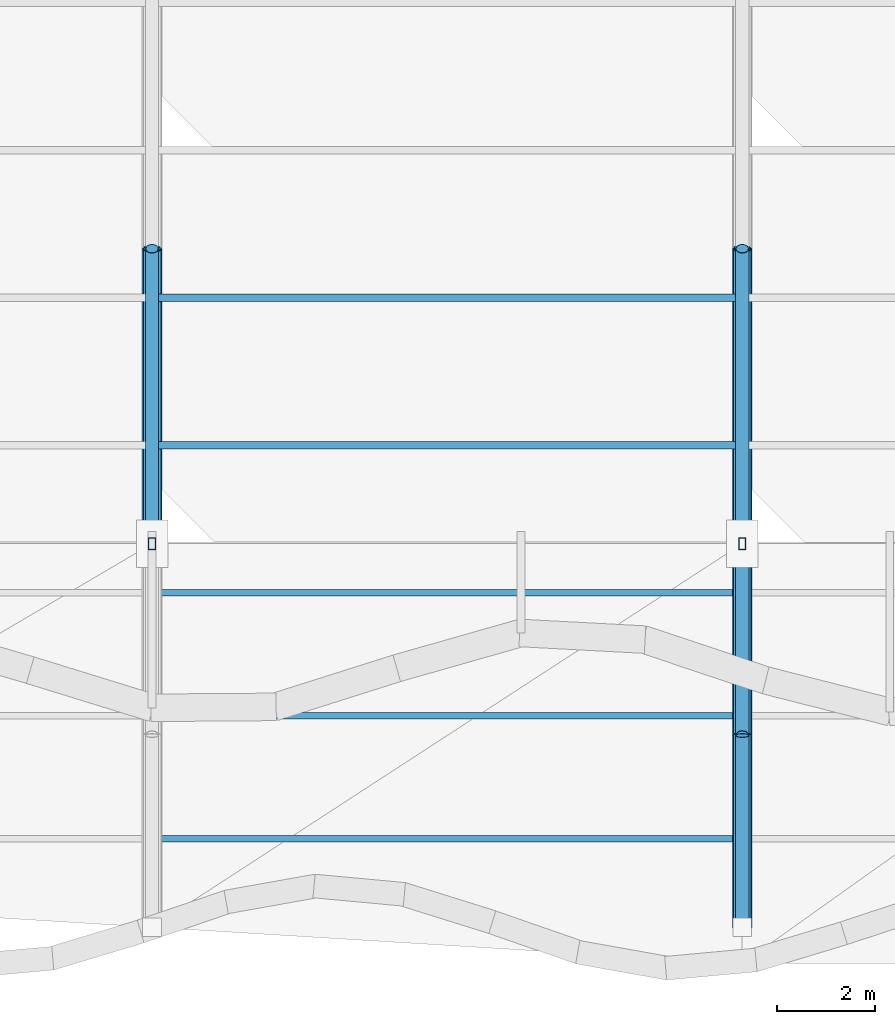
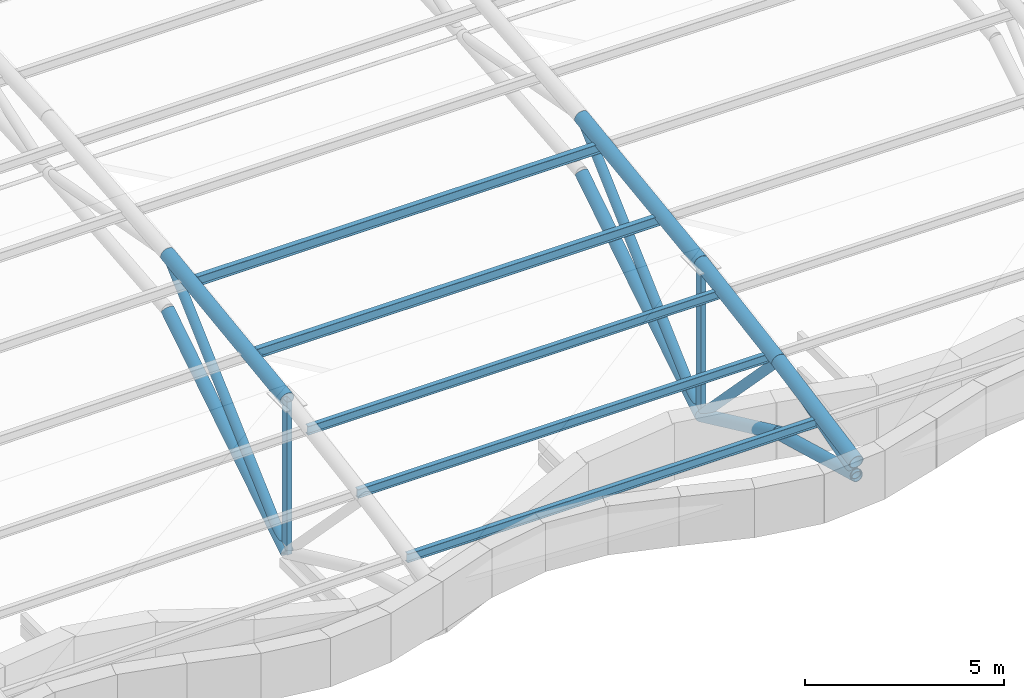
# One storey, part 8 of 29: 19 members.
"""IFC4 building model written with IfcOpenShell, lengths in metres."""

from ifc_helpers import new_model, si_unit, direction, frame, origin, origin_2d, place, context, subcontext, project, spatial, hollow_rectangle, hollow_circle, i_section, extrude, material, material_profile, profile_set, type_object, element, save


model = new_model("IFC4")

# Units and contexts
model_context = context("Model", 3, precision=1e-05, world=origin(), true_north=direction((0.0, 1.0)))
body_context = subcontext(model_context, "Body", "Model", "MODEL_VIEW")
ifc_project = project(units=[si_unit("LENGTHUNIT", "METRE"), si_unit("AREAUNIT", "SQUARE_METRE"), si_unit("VOLUMEUNIT", "CUBIC_METRE"), si_unit("PLANEANGLEUNIT", "RADIAN"), si_unit("MASSUNIT", "GRAM", prefix="KILO")], contexts=[model_context])

# Site, building, storey
site_placement = place(None, origin())
site = spatial("IfcSite", under=ifc_project, at=site_placement, CompositionType="ELEMENT")
building_placement = place(site_placement, origin())
building = spatial("IfcBuilding", under=site, at=building_placement, Name="Keelwater Ferry Terminal", CompositionType="ELEMENT")
storey_placement = place(building_placement, frame((0.0, 0.0, 27.89990234375)))
storey = spatial("IfcBuildingStorey", under=building, at=storey_placement, Name="RF", CompositionType="ELEMENT", Elevation=27.89990234375)

# Members
ifc_material_1 = material(Name="Steel S355", Category="steel")
ifc_material_profile_1 = material_profile(ifc_material_1, hollow_circle(Radius=0.136474609375, WallThickness=0.012451171875, at=origin_2d()), Name="CHS 273x12.5")
ifc_profile_set_1 = profile_set([ifc_material_profile_1], Name="Steel S355")
member_type_1 = type_object("IfcMemberType", Name="BR2 CHS 273x12.5", PredefinedType="BRACE", material=ifc_profile_set_1)
for number, where, z_axis, x_axis, name in (
    (1, (84.0, 42.0, -13.0498046875), (0.0, 0.737527737902, 0.675316841065), (-1.0, 0.0, 0.0), "Structural Member MB-RF-0107"),
    (2, (96.0, 42.0, -13.0498046875), (0.0, 0.737527737902, 0.675316841065), (-1.0, 0.0, 0.0), "Structural Member MB-RF-0139"),
):
    element("IfcMember", number, at=place(storey_placement, frame(where, z_axis=z_axis, x_axis=x_axis)), inside=storey, type_object=member_type_1, Name=name, PredefinedType="BRACE", context=body_context, shape_type="SweptSolid", body=[
        extrude(hollow_circle(Radius=0.136474609375, WallThickness=0.012451171875, at=origin_2d()), origin(), (0.0, 0.0, 1.0), 8.13525390625),
    ])
ifc_material_2 = material(Name="Steel S355", Category="steel")
ifc_material_profile_2 = material_profile(ifc_material_2, hollow_circle(Radius=0.136474609375, WallThickness=0.012451171875, at=origin_2d()), Name="CHS 273x12.5")
ifc_profile_set_2 = profile_set([ifc_material_profile_2], Name="Steel S355")
member_type_2 = type_object("IfcMemberType", Name="BR2E CHS 273x12.5", PredefinedType="BRACE", material=ifc_profile_set_2)
member_1_placement = place(storey_placement, frame((96.0, 34.199951171875, -10.162841796875), z_axis=(0.0, 0.959309065387, 0.282358136178), x_axis=(-1.0, 0.0, 0.0)))
element("IfcMember", 3, at=member_1_placement, inside=storey, type_object=member_type_2, Name="Structural Member MB-RF-0133", PredefinedType="BRACE", context=body_context, shape_type="SweptSolid", body=[
    extrude(hollow_circle(Radius=0.136474609375, WallThickness=0.012451171875, at=origin_2d()), origin(), (0.0, 0.0, 1.0), 4.065673828125),
])
member_2_placement = place(storey_placement, frame((96.0, 38.10009765625, -9.014892578125), z_axis=(0.0, 0.694974865293, -0.719034030218), x_axis=(-1.0, 0.0, 0.0)))
element("IfcMember", 4, at=member_2_placement, inside=storey, type_object=member_type_2, Name="Structural Member MB-RF-0136", PredefinedType="BRACE", context=body_context, shape_type="SweptSolid", body=[
    extrude(hollow_circle(Radius=0.136474609375, WallThickness=0.012451171875, at=origin_2d()), origin(), (0.0, 0.0, 1.0), 5.611572265625),
])
ifc_material_3 = material(Name="Steel S355", Category="steel")
ifc_material_profile_3 = material_profile(ifc_material_3, hollow_rectangle(XDim=0.14990234375, YDim=0.25, WallThickness=0.010009765625, at=origin_2d()), Name="RHS 250x150x10")
ifc_profile_set_3 = profile_set([ifc_material_profile_3], Name="Steel S355")
member_type_3 = type_object("IfcMemberType", Name="BR5 RHS 250x150x10", PredefinedType="BRACE", material=ifc_profile_set_3)
for number, where, z_axis, x_axis, name in (
    (5, (84.0, 42.0, -13.0498046875), (0.0, 0.0, 1.0), (1.0, 0.0, 0.0), "Structural Member MB-RF-0097"),
    (6, (96.0, 42.0, -13.0498046875), (0.0, 0.0, 1.0), (1.0, 0.0, 0.0), "Structural Member MB-RF-0129"),
):
    element("IfcMember", number, at=place(storey_placement, frame(where, z_axis=z_axis, x_axis=x_axis)), inside=storey, type_object=member_type_3, Name=name, PredefinedType="BRACE", context=body_context, shape_type="SweptSolid", body=[
        extrude(hollow_rectangle(XDim=0.14990234375, YDim=0.25, WallThickness=0.010009765625, at=origin_2d()), origin(), (0.0, 0.0, 1.0), 4.684814453125),
    ])
ifc_material_4 = material(Name="Steel S355", Category="steel")
ifc_material_profile_4 = material_profile(ifc_material_4, i_section(OverallWidth=0.14990234375, OverallDepth=0.300048828125, WebThickness=0.007080078125, FlangeThickness=0.0107421875, at=origin_2d()), Name="IPE 300")
ifc_profile_set_4 = profile_set([ifc_material_profile_4], Name="Steel S355")
member_type_4 = type_object("IfcMemberType", Name="PR1 IPE 300", PredefinedType="PURLIN", material=ifc_profile_set_4)
for number, where, z_axis, x_axis, name in (
    (7, (84.0, 44.0, -8.239990234375), (1.0, 0.0, 0.0), (0.0, 1.0, 0.0), "Structural Member MB-RF-0313"),
    (8, (84.0, 47.0, -7.844970703125), (1.0, 0.0, 0.0), (0.0, 1.0, 0.0), "Structural Member MB-RF-0314"),
):
    element("IfcMember", number, at=place(storey_placement, frame(where, z_axis=z_axis, x_axis=x_axis)), inside=storey, type_object=member_type_4, Name=name, PredefinedType="PURLIN", context=body_context, shape_type="SweptSolid", body=[
        extrude(i_section(OverallWidth=0.14990234375, OverallDepth=0.300048828125, WebThickness=0.007080078125, FlangeThickness=0.0107421875, at=origin_2d()), origin(), (0.0, 0.0, 1.0), 12.0),
    ])
ifc_material_5 = material(Name="Steel S355", Category="steel")
ifc_material_profile_5 = material_profile(ifc_material_5, i_section(OverallWidth=0.135009765625, OverallDepth=0.27001953125, WebThickness=0.006591796875, FlangeThickness=0.01025390625, at=origin_2d()), Name="IPE 270")
ifc_profile_set_5 = profile_set([ifc_material_profile_5], Name="Steel S355")
member_type_5 = type_object("IfcMemberType", Name="PR2E IPE 270", PredefinedType="PURLIN", material=ifc_profile_set_5)
for number, where, z_axis, x_axis, name in (
    (9, (84.0, 36.0, -9.575927734375), (1.0, 0.0, 0.0), (0.0, 1.0, 0.0), "Structural Member MB-RF-0310"),
    (10, (84.0, 38.5, -9.114013671875), (1.0, 0.0, 0.0), (0.0, 1.0, 0.0), "Structural Member MB-RF-0311"),
    (11, (84.0, 41.0, -8.69287109375), (1.0, 0.0, 0.0), (0.0, 1.0, 0.0), "Structural Member MB-RF-0312"),
):
    element("IfcMember", number, at=place(storey_placement, frame(where, z_axis=z_axis, x_axis=x_axis)), inside=storey, type_object=member_type_5, Name=name, PredefinedType="PURLIN", context=body_context, shape_type="SweptSolid", body=[
        extrude(i_section(OverallWidth=0.135009765625, OverallDepth=0.27001953125, WebThickness=0.006591796875, FlangeThickness=0.01025390625, at=origin_2d()), origin(), (0.0, 0.0, 1.0), 12.0),
    ])
ifc_material_6 = material(Name="Steel S355", Category="steel")
ifc_material_profile_6 = material_profile(ifc_material_6, hollow_circle(Radius=0.203125, WallThickness=0.01611328125, at=origin_2d()), Name="CHS 406.4x16")
ifc_profile_set_6 = profile_set([ifc_material_profile_6], Name="Steel S355")
member_type_6 = type_object("IfcMemberType", Name="TC1 CHS 406.4x16", PredefinedType="CHORD", material=ifc_profile_set_6)
for number, where, z_axis, x_axis, name in (
    (12, (84.0, 42.0, -8.364990234375), (0.0, 0.991030285938, 0.13363746613), (-1.0, 0.0, 0.0), "Structural Member MB-RF-0105"),
    (13, (96.0, 42.0, -8.364990234375), (0.0, 0.991030285938, 0.13363746613), (-1.0, 0.0, 0.0), "Structural Member MB-RF-0137"),
):
    element("IfcMember", number, at=place(storey_placement, frame(where, z_axis=z_axis, x_axis=x_axis)), inside=storey, type_object=member_type_6, Name=name, PredefinedType="CHORD", context=body_context, shape_type="SweptSolid", body=[
        extrude(hollow_circle(Radius=0.203125, WallThickness=0.01611328125, at=origin_2d()), origin(), (0.0, 0.0, 1.0), 6.05419921875),
    ])
ifc_material_7 = material(Name="Steel S355", Category="steel")
ifc_material_profile_7 = material_profile(ifc_material_7, hollow_circle(Radius=0.203125, WallThickness=0.01611328125, at=origin_2d()), Name="CHS 406.4x16")
ifc_profile_set_7 = profile_set([ifc_material_profile_7], Name="Steel S355")
member_type_7 = type_object("IfcMemberType", Name="TC1E CHS 406.4x16", PredefinedType="CHORD", material=ifc_profile_set_7)
member_3_placement = place(storey_placement, frame((96.0, 34.199951171875, -9.762939453125), z_axis=(0.0, 0.982098851925, 0.188366252413), x_axis=(-1.0, 0.0, 0.0)))
element("IfcMember", 14, at=member_3_placement, inside=storey, type_object=member_type_7, Name="Structural Member MB-RF-0131", PredefinedType="CHORD", context=body_context, shape_type="SweptSolid", body=[
    extrude(hollow_circle(Radius=0.203125, WallThickness=0.01611328125, at=origin_2d()), origin(), (0.0, 0.0, 1.0), 3.97119140625),
])
member_4_placement = place(storey_placement, frame((96.0, 38.10009765625, -9.014892578125), z_axis=(0.0, 0.986397261476, 0.164378960188), x_axis=(-1.0, 0.0, 0.0)))
element("IfcMember", 15, at=member_4_placement, inside=storey, type_object=member_type_7, Name="Structural Member MB-RF-0134", PredefinedType="CHORD", context=body_context, shape_type="SweptSolid", body=[
    extrude(hollow_circle(Radius=0.203125, WallThickness=0.01611328125, at=origin_2d()), origin(), (0.0, 0.0, 1.0), 3.95361328125),
])
ifc_material_8 = material(Name="Steel S355", Category="steel")
ifc_material_profile_8 = material_profile(ifc_material_8, hollow_circle(Radius=0.177734375, WallThickness=0.01611328125, at=origin_2d()), Name="CHS 355.6x16")
ifc_profile_set_8 = profile_set([ifc_material_profile_8], Name="Steel S355")
member_type_8 = type_object("IfcMemberType", Name="TC2 CHS 355.6x16", PredefinedType="CHORD", material=ifc_profile_set_8)
for number, where, z_axis, x_axis, name in (
    (16, (84.0, 42.0, -13.0498046875), (0.0, 0.845204389629, 0.534443205356), (-1.0, 0.0, 0.0), "Structural Member MB-RF-0106"),
    (17, (96.0, 42.0, -13.0498046875), (0.0, 0.845204389629, 0.534443205356), (-1.0, 0.0, 0.0), "Structural Member MB-RF-0138"),
):
    element("IfcMember", number, at=place(storey_placement, frame(where, z_axis=z_axis, x_axis=x_axis)), inside=storey, type_object=member_type_8, Name=name, PredefinedType="CHORD", context=body_context, shape_type="SweptSolid", body=[
        extrude(hollow_circle(Radius=0.177734375, WallThickness=0.01611328125, at=origin_2d()), origin(), (0.0, 0.0, 1.0), 7.098876953125),
    ])
ifc_material_9 = material(Name="Steel S355", Category="steel")
ifc_material_profile_9 = material_profile(ifc_material_9, hollow_circle(Radius=0.177734375, WallThickness=0.01611328125, at=origin_2d()), Name="CHS 355.6x16")
ifc_profile_set_9 = profile_set([ifc_material_profile_9], Name="Steel S355")
member_type_9 = type_object("IfcMemberType", Name="TC2E CHS 355.6x16", PredefinedType="CHORD", material=ifc_profile_set_9)
member_5_placement = place(storey_placement, frame((96.0, 34.199951171875, -10.162841796875), z_axis=(0.0, 0.964423082195, -0.26436361045), x_axis=(-1.0, 0.0, 0.0)))
element("IfcMember", 18, at=member_5_placement, inside=storey, type_object=member_type_9, Name="Structural Member MB-RF-0132", PredefinedType="CHORD", context=body_context, shape_type="SweptSolid", body=[
    extrude(hollow_circle(Radius=0.177734375, WallThickness=0.01611328125, at=origin_2d()), origin(), (0.0, 0.0, 1.0), 4.0439453125),
])
member_6_placement = place(storey_placement, frame((96.0, 38.10009765625, -11.23193359375), z_axis=(0.0, 0.906368597498, -0.422487828782), x_axis=(-1.0, 0.0, 0.0)))
element("IfcMember", 19, at=member_6_placement, inside=storey, type_object=member_type_9, Name="Structural Member MB-RF-0135", PredefinedType="CHORD", context=body_context, shape_type="SweptSolid", body=[
    extrude(hollow_circle(Radius=0.177734375, WallThickness=0.01611328125, at=origin_2d()), origin(), (0.0, 0.0, 1.0), 4.302734375),
])

save(model, "model.ifc")
